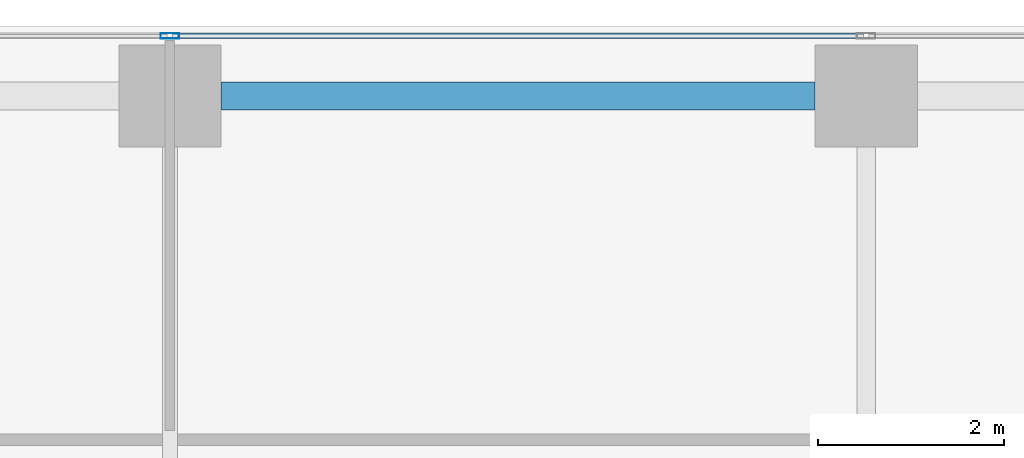
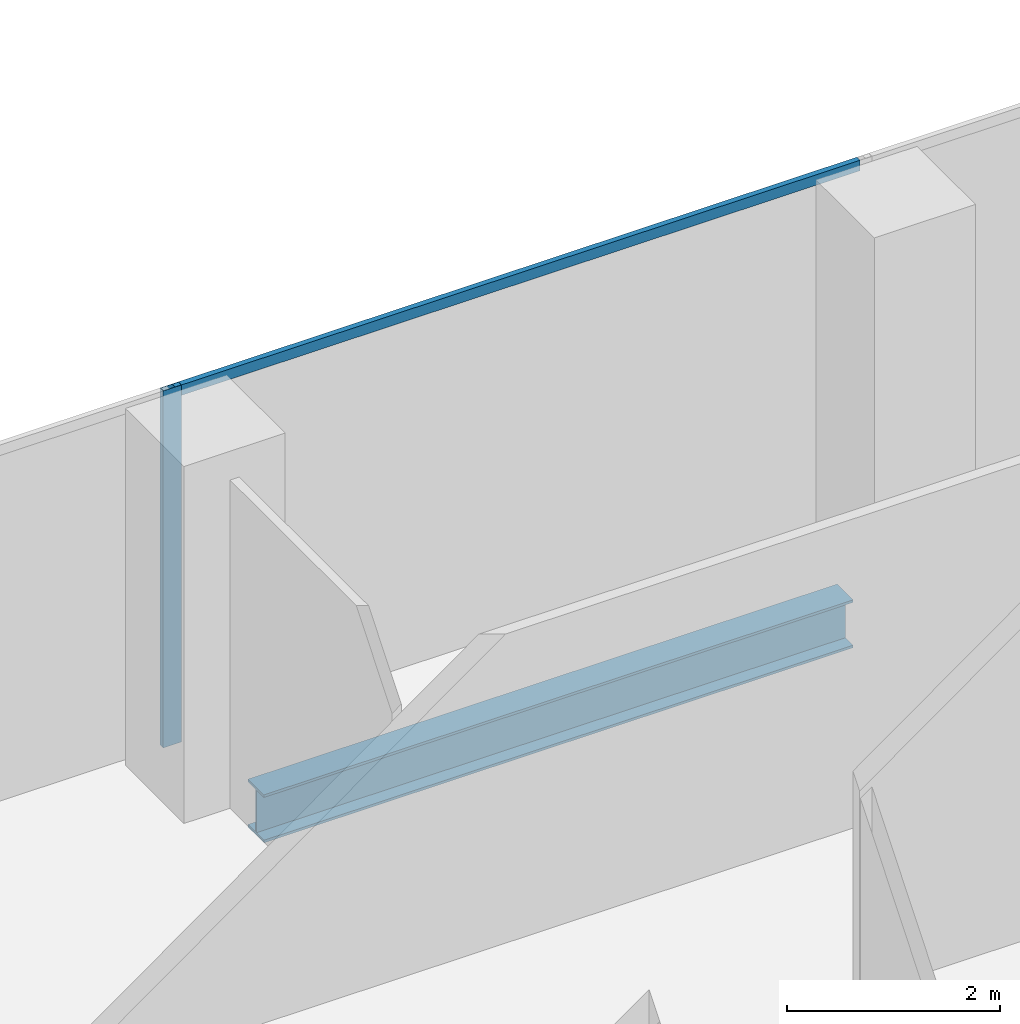
# One storey, part 18 of 35: 2 members, 1 beam, 1 element without a shape of its own.
"""IFC4 building model written with IfcOpenShell, lengths in metres."""

from ifc_helpers import new_model, si_unit, direction, frame, origin, origin_2d, place, context, subcontext, project, spatial, hollow_rectangle, i_section, extrude, source, transform, mapped, material, material_profile, profile_set, type_object, element, aggregate, save


model = new_model("IFC4")

# Units and contexts
model_context = context("Model", 3, precision=1e-05, world=origin(), true_north=direction((0.0, 1.0)))
body_context = subcontext(model_context, "Body", "Model", "MODEL_VIEW")
ifc_project = project(units=[si_unit("LENGTHUNIT", "METRE"), si_unit("AREAUNIT", "SQUARE_METRE"), si_unit("VOLUMEUNIT", "CUBIC_METRE"), si_unit("PLANEANGLEUNIT", "RADIAN"), si_unit("MASSUNIT", "GRAM", prefix="KILO")], contexts=[model_context])

# Site, building, storey
site_placement = place(None, origin())
site = spatial("IfcSite", under=ifc_project, at=site_placement, CompositionType="ELEMENT")
building_placement = place(site_placement, origin())
building = spatial("IfcBuilding", under=site, at=building_placement, Name="Khomas Fold Tower", CompositionType="ELEMENT")
storey_placement = place(building_placement, frame((0.0, 0.0, 132.300048828125)))
storey = spatial("IfcBuildingStorey", under=building, at=storey_placement, Name="L28", CompositionType="ELEMENT", Elevation=132.300048828125)

# Beam
ifc_material_1 = material(Name="Steel S355", Category="steel")
ifc_material_profile_1 = material_profile(ifc_material_1, i_section(OverallWidth=0.300048828125, OverallDepth=0.550048828125, WebThickness=0.014892578125, FlangeThickness=0.029052734375, at=origin_2d()), Name="HE 550 B")
ifc_profile_set_1 = profile_set([ifc_material_profile_1], Name="Steel S355")
beam_type = type_object("IfcBeamType", Name="HE 550 B spandrel SB2", PredefinedType="SPANDREL", material=ifc_profile_set_1)
shared_shape_1 = source(origin(), body_context, "Body", "SweptSolid", [
    extrude(i_section(OverallWidth=0.300048828125, OverallDepth=0.550048828125, WebThickness=0.014892578125, FlangeThickness=0.029052734375, at=origin_2d()), origin(), (0.0, 0.0, 1.0), 6.39990234375),
])
beam_placement = place(storey_placement, frame((27.550048828125, 51.75, -0.574951171875), z_axis=(1.0, 0.0, 0.0), x_axis=(0.0, 1.0, 0.0)))
element("IfcBeam", 1, at=beam_placement, inside=storey, type_object=beam_type, Name="SB2", PredefinedType="SPANDREL", context=body_context, shape_type="MappedRepresentation", body=[
    mapped(shared_shape_1, transform((0.0, 0.0, 0.0))),
])

# Curtain wall, members
ifc_material_2 = material(Name="Aluminium framed double glazing", Category="aluminium")
curtain_wall_type = type_object("IfcCurtainWallType", Name="SK-Unitised clear-glass wall, growing floors CW1", PredefinedType="NOTDEFINED", material=ifc_material_2)
curtain_wall_placement = place(storey_placement, origin())
curtain_wall = element("IfcCurtainWall", 2, at=curtain_wall_placement, inside=storey, type_object=curtain_wall_type, Name="CW1 run L28 06-0", PredefinedType="NOTDEFINED")
ifc_material_3 = material(Name="Aluminium", Category="aluminium")
ifc_material_profile_2 = material_profile(ifc_material_3, hollow_rectangle(XDim=0.06005859375, YDim=0.1201171875, WallThickness=0.00390625, at=origin_2d()), Name="SK-Unitised clear-glass wall, growing floors transom CW1-T")
ifc_profile_set_2 = profile_set([ifc_material_profile_2], Name="Aluminium")
member_type_1 = type_object("IfcMemberType", Name="SK-Unitised clear-glass wall, growing floors transom CW1-T", PredefinedType="USERDEFINED", material=ifc_profile_set_2)
shared_shape_2 = source(origin(), body_context, "Body", "SweptSolid", [
    extrude(hollow_rectangle(XDim=0.06005859375, YDim=0.1201171875, WallThickness=0.00390625, at=origin_2d()), origin(), (0.0, 0.0, 1.0), 7.43994140625),
])
member_1_placement = place(storey_placement, frame((34.469970703125, 52.39990234375, 4.0400390625), z_axis=(-1.0, 0.0, 0.0), x_axis=(0.0, -1.0, 0.0)))
member_1 = element("IfcMember", 3, at=member_1_placement, type_object=member_type_1, Name="CW1 transom 4", ObjectType="TRANSOM", PredefinedType="USERDEFINED", context=body_context, shape_type="MappedRepresentation", body=[
    mapped(shared_shape_2, transform((0.0, 0.0, 0.0))),
])
ifc_material_4 = material(Name="Aluminium", Category="aluminium")
ifc_material_profile_3 = material_profile(ifc_material_4, hollow_rectangle(XDim=0.06005859375, YDim=0.199951171875, WallThickness=0.00390625, at=origin_2d()), Name="SK-Unitised clear-glass wall, growing floors mullion CW1-M")
ifc_profile_set_3 = profile_set([ifc_material_profile_3], Name="Aluminium")
member_type_2 = type_object("IfcMemberType", Name="SK-Unitised clear-glass wall, growing floors mullion CW1-M", PredefinedType="MULLION", material=ifc_profile_set_3)
shared_shape_3 = source(origin(), body_context, "Body", "SweptSolid", [
    extrude(hollow_rectangle(XDim=0.06005859375, YDim=0.199951171875, WallThickness=0.00390625, at=origin_2d()), origin(), (0.0, 0.0, 1.0), 4.099853515625),
])
member_2_placement = place(storey_placement, frame((27.0, 52.39990234375, 0.0), z_axis=(0.0, 0.0, 1.0), x_axis=(0.0, -1.0, 0.0)))
member_2 = element("IfcMember", 4, at=member_2_placement, type_object=member_type_2, Name="CW1 mullion 5", PredefinedType="MULLION", context=body_context, shape_type="MappedRepresentation", body=[
    mapped(shared_shape_3, transform((0.0, 0.0, 0.0))),
])
aggregate(curtain_wall, [member_2, member_1])

save(model, "model.ifc")
